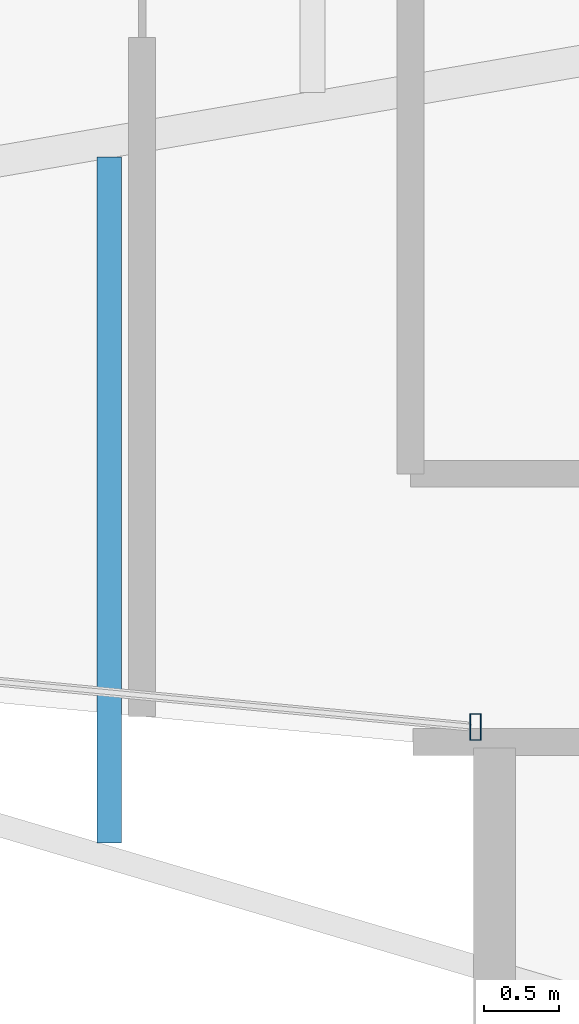
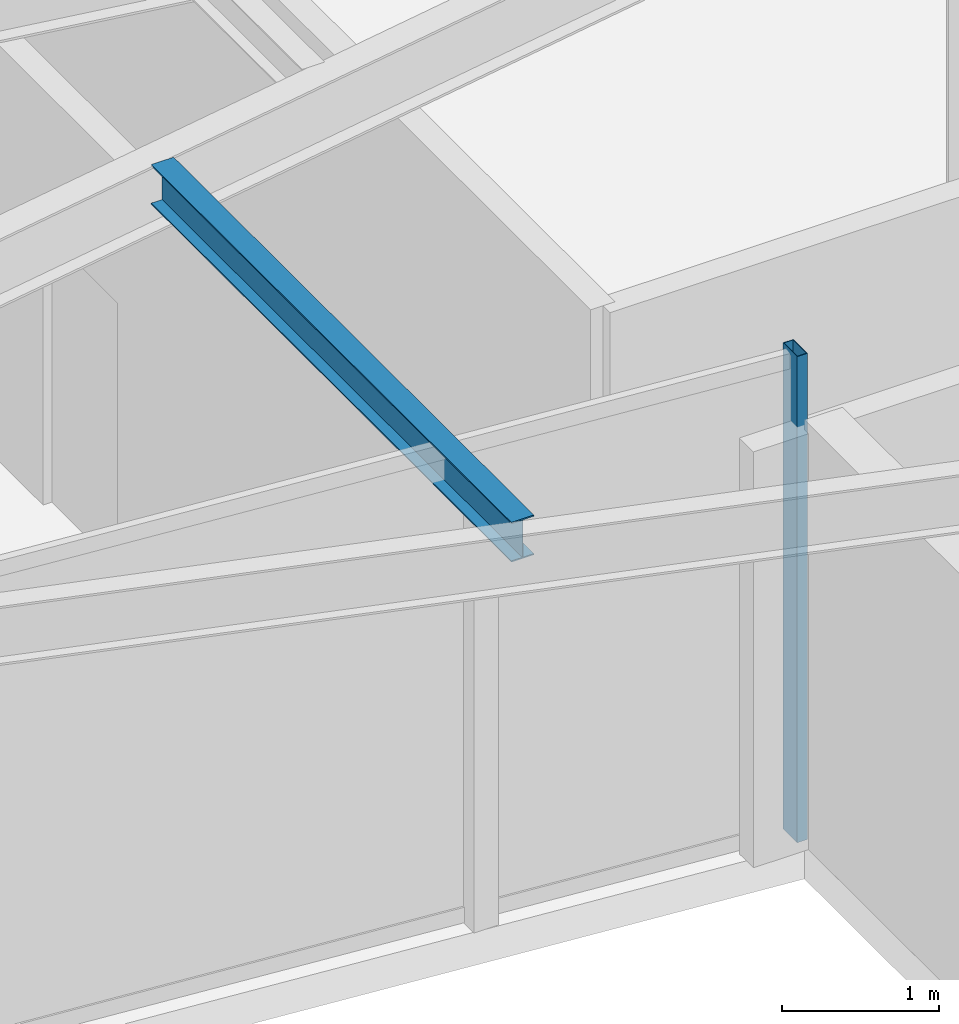
# One storey, part 4 of 21: 1 beam, 1 member, 1 element without a shape of its own.
"""IFC4 building model written with IfcOpenShell, lengths in metres."""

from ifc_helpers import new_model, si_unit, direction, frame, origin, origin_2d, place, context, subcontext, project, spatial, hollow_rectangle, i_section, extrude, material, layer, layer_set, material_profile, profile_set, type_object, element, aggregate, save


model = new_model("IFC4")

# Units and contexts
model_context = context("Model", 3, precision=1e-05, world=origin(), true_north=direction((0.0, 1.0)))
body_context = subcontext(model_context, "Body", "Model", "MODEL_VIEW")
ifc_project = project(units=[si_unit("LENGTHUNIT", "METRE"), si_unit("AREAUNIT", "SQUARE_METRE"), si_unit("VOLUMEUNIT", "CUBIC_METRE"), si_unit("PLANEANGLEUNIT", "RADIAN"), si_unit("MASSUNIT", "GRAM", prefix="KILO")], contexts=[model_context])

# Site, building, storey
site_placement = place(None, origin())
site = spatial("IfcSite", under=ifc_project, at=site_placement, CompositionType="ELEMENT")
building_placement = place(site_placement, origin())
building = spatial("IfcBuilding", under=site, at=building_placement, Name="Veymaron Broadcast Tower", CompositionType="ELEMENT")
storey_placement = place(building_placement, frame((0.0, 0.0, 232.35009765625)))
storey = spatial("IfcBuildingStorey", under=building, at=storey_placement, Name="L54", CompositionType="ELEMENT", Elevation=232.35009765625)

# Beam
ifc_material_1 = material(Name="Structural steel ASTM A992 Gr 50", Category="steel")
ifc_material_profile_1 = material_profile(ifc_material_1, i_section(OverallWidth=0.1650390625, OverallDepth=0.31005859375, WebThickness=0.005859375, FlangeThickness=0.009765625, at=origin_2d()), Name="W310X39")
ifc_profile_set_1 = profile_set([ifc_material_profile_1], Name="Structural steel ASTM A992 Gr 50")
beam_type = type_object("IfcBeamType", Name="BM-JS3", PredefinedType="JOIST", material=ifc_profile_set_1)
beam_placement = place(storey_placement, frame((24.379150390625, 18.1240234375, 3.635009765625), z_axis=(0.0, 1.0, 0.0), x_axis=(-1.0, 0.0, 0.0)))
element("IfcBeam", 1, at=beam_placement, inside=storey, type_object=beam_type, Name="L54 Arm-A secondary joist 2S", PredefinedType="JOIST", context=body_context, shape_type="SweptSolid", body=[
    extrude(i_section(OverallWidth=0.1650390625, OverallDepth=0.31005859375, WebThickness=0.005859375, FlangeThickness=0.009765625, at=origin_2d()), origin(), (0.0, 0.0, 1.0), 4.60009765625),
])

# Curtain wall, member
ifc_material_2 = material(Name="Anodised aluminium AA 6063-T6 and laminated low-E dark glass", Category="aluminium")
ifc_layer = layer(ifc_material_2, 0.179931640625)
ifc_layer_set = layer_set([ifc_layer], Name="Anodised aluminium AA 6063-T6 and laminated low-E dark glass")
curtain_wall_type = type_object("IfcCurtainWallType", Name="CW-SYS-05", PredefinedType="NOTDEFINED", material=ifc_layer_set)
curtain_wall_placement = place(storey_placement, origin())
curtain_wall = element("IfcCurtainWall", 2, at=curtain_wall_placement, inside=storey, type_object=curtain_wall_type, Name="L54 dark-glass curtain wall CW-L54-E14-1", PredefinedType="NOTDEFINED")
ifc_material_3 = material(Name="Anodised aluminium AA 6063-T6", Category="aluminium")
ifc_material_profile_2 = material_profile(ifc_material_3, hollow_rectangle(XDim=0.074951171875, YDim=0.179931640625, WallThickness=0.0048828125, at=origin_2d()), Name="AL180X75X5")
ifc_profile_set_2 = profile_set([ifc_material_profile_2], Name="Anodised aluminium AA 6063-T6")
member_type = type_object("IfcMemberType", Name="CW-MUL-02", PredefinedType="MULLION", material=ifc_profile_set_2)
member_placement = place(storey_placement, frame((26.837158203125, 18.90087890625, 0.0), z_axis=(0.0, 0.0, 1.0), x_axis=(1.0, 0.0, 0.0)))
member = element("IfcMember", 3, at=member_placement, type_object=member_type, Name="CW-L54-E14-1 mullion 2", PredefinedType="MULLION", context=body_context, shape_type="SweptSolid", body=[
    extrude(hollow_rectangle(XDim=0.074951171875, YDim=0.179931640625, WallThickness=0.0048828125, at=origin_2d()), origin(), (0.0, 0.0, 1.0), 3.789794921875),
])
aggregate(curtain_wall, [member])

save(model, "model.ifc")
